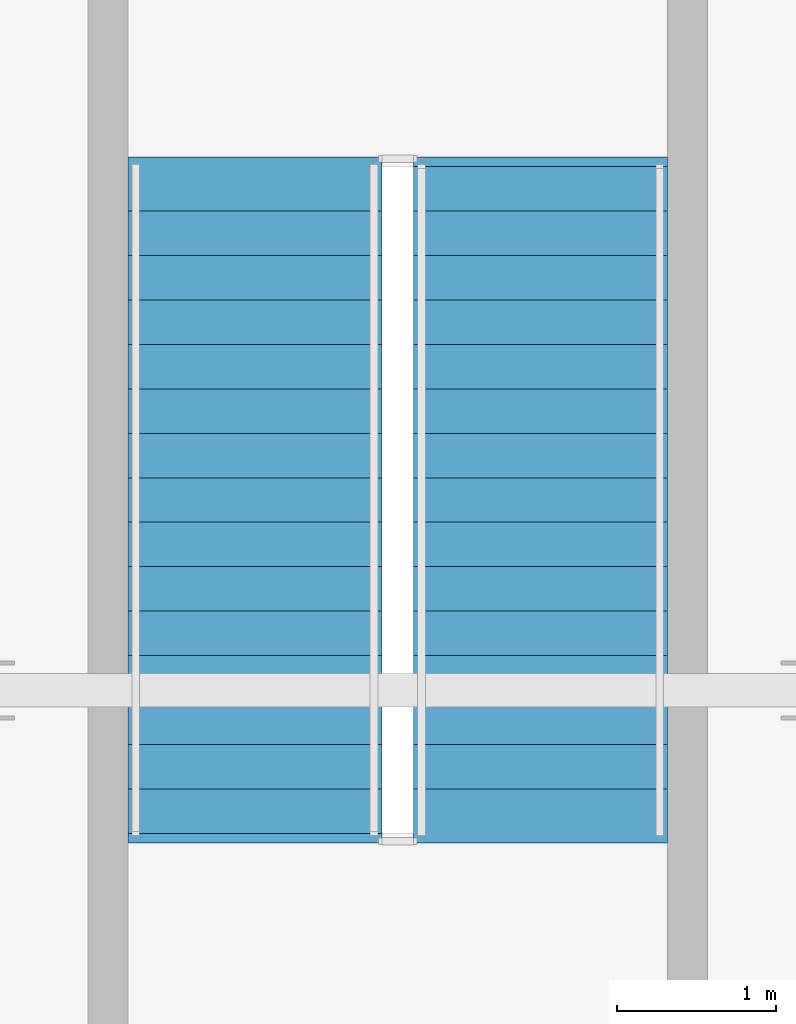
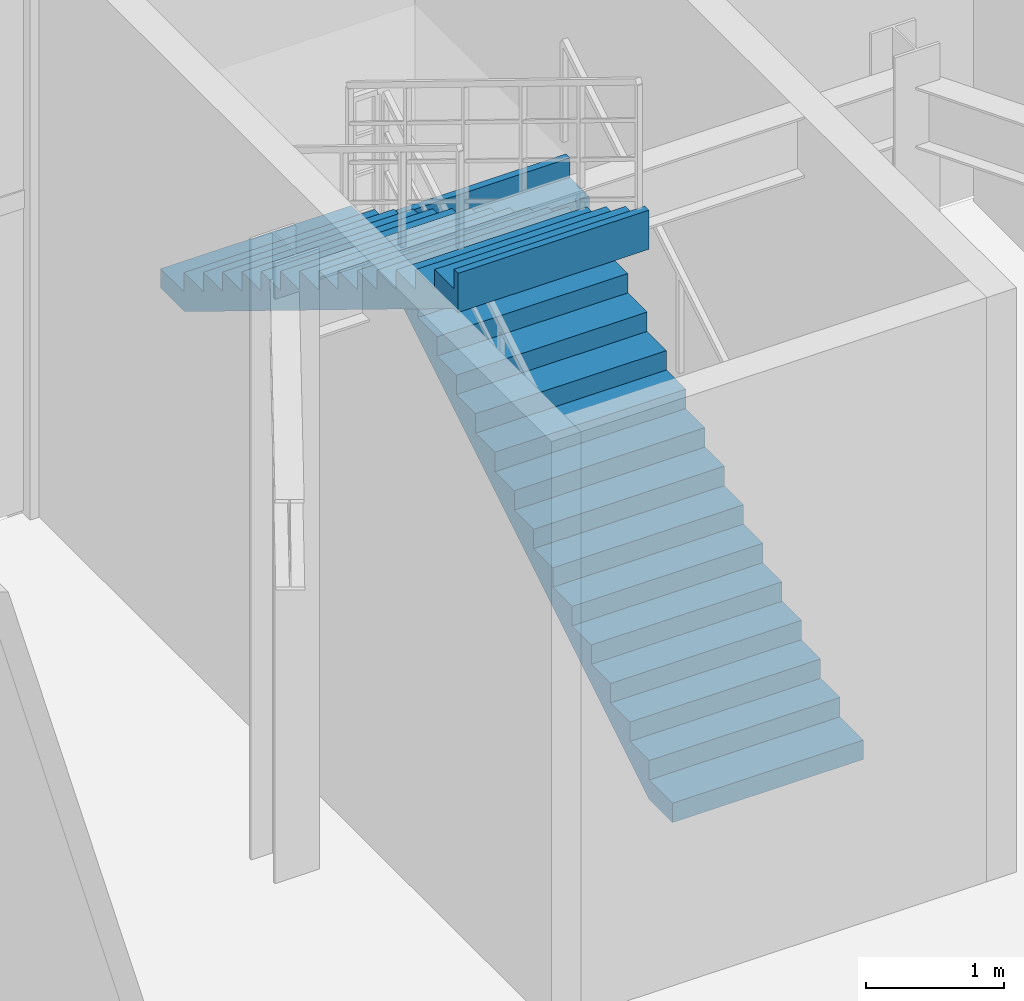
# One storey, part 16 of 18: 2 stair flights, 1 element without a shape of its own.
"""IFC4 building model written with IfcOpenShell, lengths in metres."""

from ifc_helpers import new_model, si_unit, direction, frame, origin, place, context, subcontext, project, spatial, polyline, outline, extrude, material, type_object, element, aggregate, save


model = new_model("IFC4")

# Units and contexts
model_context = context("Model", 3, precision=1e-05, world=origin(), true_north=direction((0.0, 1.0)))
body_context = subcontext(model_context, "Body", "Model", "MODEL_VIEW")
ifc_project = project(units=[si_unit("LENGTHUNIT", "METRE"), si_unit("AREAUNIT", "SQUARE_METRE"), si_unit("VOLUMEUNIT", "CUBIC_METRE"), si_unit("PLANEANGLEUNIT", "RADIAN"), si_unit("MASSUNIT", "GRAM", prefix="KILO")], contexts=[model_context])

# Site, building, storey
site_placement = place(None, origin())
site = spatial("IfcSite", under=ifc_project, at=site_placement, CompositionType="ELEMENT")
building_placement = place(site_placement, origin())
building = spatial("IfcBuilding", under=site, at=building_placement, Name="Varakhsha Concourse Tower", CompositionType="ELEMENT")
storey_placement = place(building_placement, frame((0.0, 0.0, 5.5)))
storey = spatial("IfcBuildingStorey", under=building, at=storey_placement, Name="L02", CompositionType="ELEMENT", Elevation=5.5)

# Stair, stair flights
ifc_material = material(Name="Concrete fc 45 MPa", Category="concrete")
stair_type = type_object("IfcStairType", Name="ST-DOGLEG-1600", PredefinedType="HALF_TURN_STAIR", material=ifc_material)
stair_placement = place(storey_placement, origin())
stair = element("IfcStair", 1, at=stair_placement, inside=storey, type_object=stair_type, Name="L02 Protected Exit Stair ST5", PredefinedType="HALF_TURN_STAIR")
stair_flight_type = type_object("IfcStairFlightType", Name="STF-1600-R1719", PredefinedType="STRAIGHT", material=ifc_material)
stair_flight_1_placement = place(storey_placement, frame((40.89990234375, 40.300048828125, 0.0), z_axis=(0.0, 0.0, 1.0), x_axis=(0.0, 1.0, 0.0)))
stair_flight_1 = element("IfcStairFlight", 2, at=stair_flight_1_placement, type_object=stair_flight_type, Name="ST5 flight 1", NumberOfRisers=16, NumberOfTreads=15, PredefinedType="STRAIGHT", RiserHeight=0.171875, TreadLength=0.28, context=body_context, shape_type="SweptSolid", body=[
    extrude(outline(polyline([(-0.06005859375, 0.0), (-0.06005859375, 0.171875), (0.0, 0.171875), (0.280029296875, 0.171875), (0.280029296875, 0.34375), (0.56005859375, 0.34375), (0.56005859375, 0.515625), (0.840087890625, 0.515625), (0.840087890625, 0.6875), (1.1201171875, 0.6875), (1.1201171875, 0.859375), (1.39990234375, 0.859375), (1.39990234375, 1.03125), (1.679931640625, 1.03125), (1.679931640625, 1.203125), (1.9599609375, 1.203125), (1.9599609375, 1.375), (2.239990234375, 1.375), (2.239990234375, 1.546875), (2.52001953125, 1.546875), (2.52001953125, 1.71875), (2.800048828125, 1.71875), (2.800048828125, 1.890625), (3.080078125, 1.890625), (3.080078125, 2.0625), (3.360107421875, 2.0625), (3.360107421875, 2.234375), (3.639892578125, 2.234375), (3.639892578125, 2.40625), (3.919921875, 2.40625), (3.919921875, 2.578125), (4.199951171875, 2.578125), (4.199951171875, 2.75), (4.260009765625, 2.75), (4.260009765625, 2.40234375), (4.199951171875, 2.40234375), (0.28662109375, 0.0), (-0.06005859375, 0.0)])), frame((0.0, 0.800048828125, 0.0), z_axis=(0.0, -1.0, 0.0), x_axis=(1.0, 0.0, 0.0)), (0.0, 0.0, 1.0), 1.60009765625),
])
stair_flight_2_placement = place(storey_placement, frame((39.10009765625, 44.5, 2.75), z_axis=(0.0, 0.0, 1.0), x_axis=(0.0, -1.0, 0.0)))
stair_flight_2 = element("IfcStairFlight", 3, at=stair_flight_2_placement, type_object=stair_flight_type, Name="ST5 flight 2", NumberOfRisers=16, NumberOfTreads=15, PredefinedType="STRAIGHT", RiserHeight=0.171875, TreadLength=0.28, context=body_context, shape_type="SweptSolid", body=[
    extrude(outline(polyline([(-0.06005859375, 0.0), (-0.06005859375, 0.171875), (0.0, 0.171875), (0.280029296875, 0.171875), (0.280029296875, 0.34375), (0.56005859375, 0.34375), (0.56005859375, 0.515625), (0.840087890625, 0.515625), (0.840087890625, 0.6875), (1.1201171875, 0.6875), (1.1201171875, 0.859375), (1.39990234375, 0.859375), (1.39990234375, 1.03125), (1.679931640625, 1.03125), (1.679931640625, 1.203125), (1.9599609375, 1.203125), (1.9599609375, 1.375), (2.239990234375, 1.375), (2.239990234375, 1.546875), (2.52001953125, 1.546875), (2.52001953125, 1.71875), (2.800048828125, 1.71875), (2.800048828125, 1.890625), (3.080078125, 1.890625), (3.080078125, 2.0625), (3.360107421875, 2.0625), (3.360107421875, 2.234375), (3.639892578125, 2.234375), (3.639892578125, 2.40625), (3.919921875, 2.40625), (3.919921875, 2.578125), (4.199951171875, 2.578125), (4.199951171875, 2.75), (4.260009765625, 2.75), (4.260009765625, 2.40234375), (4.199951171875, 2.40234375), (0.28662109375, 0.0), (-0.06005859375, 0.0)])), frame((0.0, 0.800048828125, 0.0), z_axis=(0.0, -1.0, 0.0), x_axis=(1.0, 0.0, 0.0)), (0.0, 0.0, 1.0), 1.60009765625),
])
aggregate(stair, [stair_flight_1, stair_flight_2])

save(model, "model.ifc")
